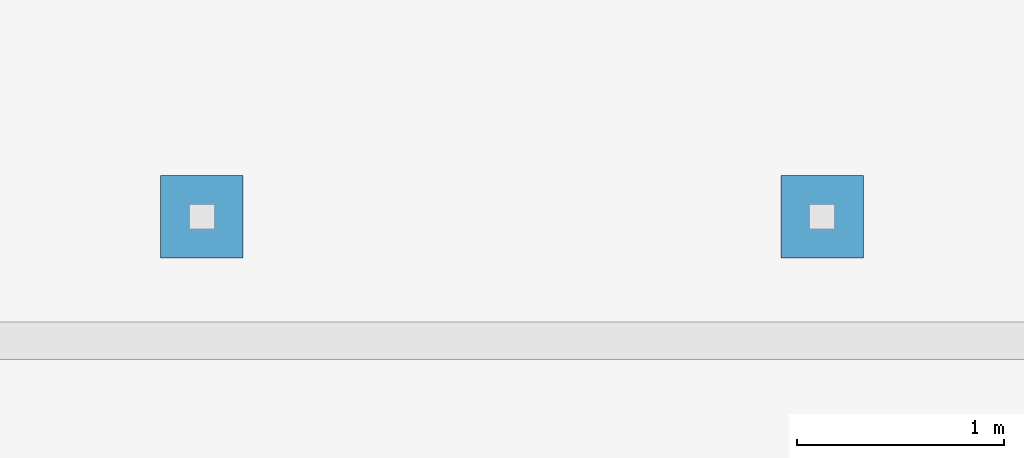
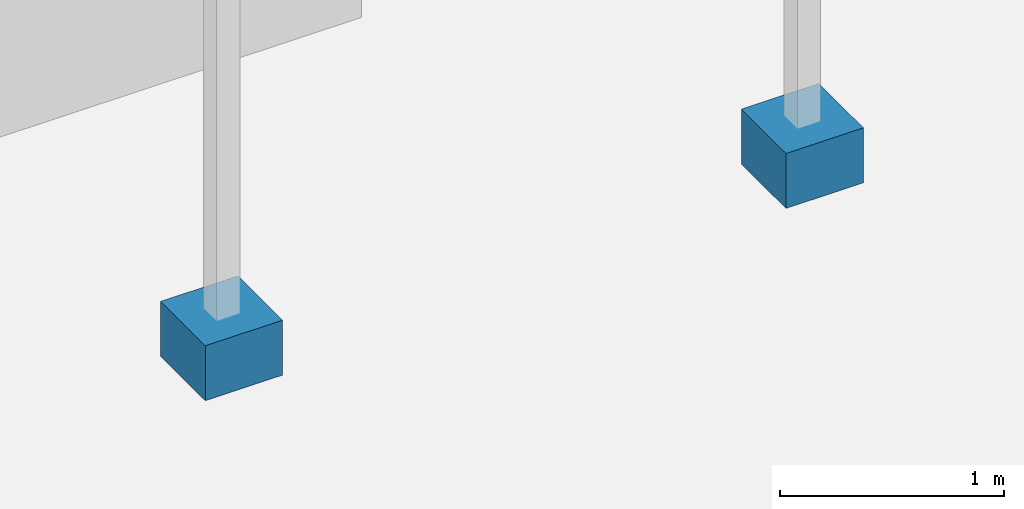
# One storey, part 94 of 126: 2 discrete accessories.
"""IFC4 building model written with IfcOpenShell, lengths in metres."""

from ifc_helpers import new_model, si_unit, direction, frame, origin, origin_2d, place, context, subcontext, project, spatial, rectangle, extrude, material, type_object, element, save


model = new_model("IFC4")

# Units and contexts
model_context = context("Model", 3, precision=1e-05, world=origin(), true_north=direction((0.0, 1.0)))
body_context = subcontext(model_context, "Body", "Model", "MODEL_VIEW")
ifc_project = project(units=[si_unit("LENGTHUNIT", "METRE"), si_unit("AREAUNIT", "SQUARE_METRE"), si_unit("VOLUMEUNIT", "CUBIC_METRE"), si_unit("PLANEANGLEUNIT", "RADIAN"), si_unit("MASSUNIT", "GRAM", prefix="KILO")], contexts=[model_context])

# Site, building, storey
site_placement = place(None, origin())
site = spatial("IfcSite", under=ifc_project, at=site_placement, CompositionType="ELEMENT")
building_placement = place(site_placement, origin())
building = spatial("IfcBuilding", under=site, at=building_placement, Name="Sava Quay Ferry Terminal", CompositionType="ELEMENT")
storey_placement = place(building_placement, frame((0.0, 0.0, 15.0)))
storey = spatial("IfcBuildingStorey", under=building, at=storey_placement, Name="L03", CompositionType="ELEMENT", Elevation=15.0)

# Discrete accessories
ifc_material = material(Name="Precast concrete C30/37", Category="concrete")
discrete_accessory_type = type_object("IfcDiscreteAccessoryType", Name="Terrace lamp base 400", PredefinedType="NOTDEFINED", material=ifc_material)
for number, where, z_axis, x_axis, name in (
    (1, (110.60009765625, 31.39990234375, 0.0), (0.0, 0.0, 1.0), (1.0, 0.0, 0.0), "Terrace lamp base"),
    (2, (113.60009765625, 31.39990234375, 0.0), (0.0, 0.0, 1.0), (1.0, 0.0, 0.0), "Terrace lamp base"),
):
    element("IfcDiscreteAccessory", number, at=place(storey_placement, frame(where, z_axis=z_axis, x_axis=x_axis)), inside=storey, type_object=discrete_accessory_type, Name=name, PredefinedType="NOTDEFINED", context=body_context, shape_type="SweptSolid", body=[
        extrude(rectangle(XDim=0.39990234375, YDim=0.39990234375, at=origin_2d()), origin(), (0.0, 0.0, 1.0), 0.300048828125),
    ])

save(model, "model.ifc")
